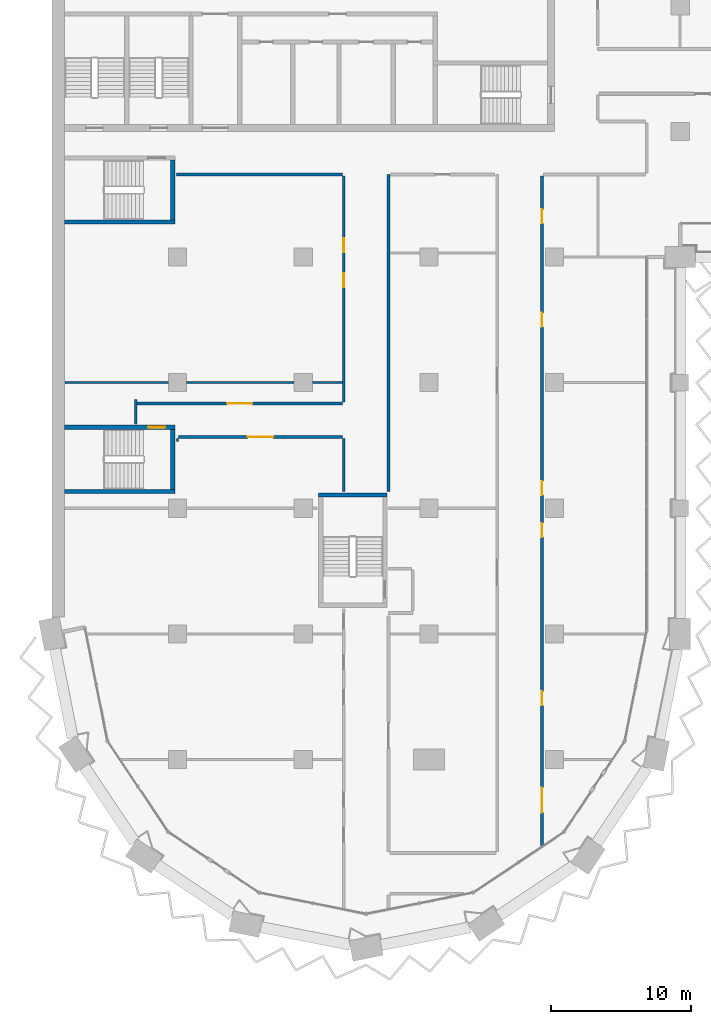
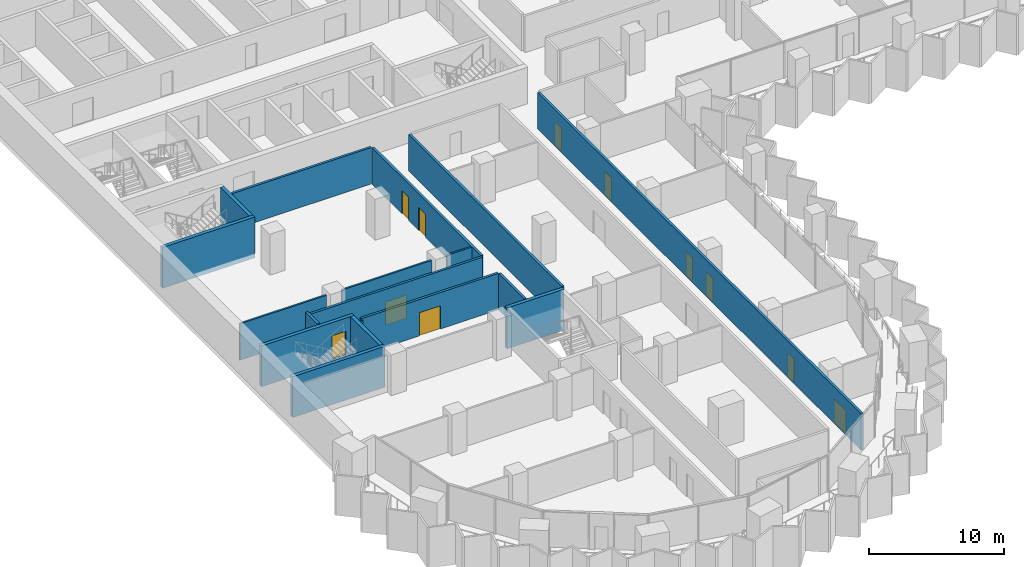
# One storey, part 10 of 23: 18 walls, 11 doors, 11 openings.
"""IFC4 building model written with IfcOpenShell, lengths in metres."""

from ifc_helpers import new_model, si_unit, direction, frame, frame_2d, origin, place, context, subcontext, project, spatial, rectangle, extrude, material, layer, layer_set, type_object, element, fill, save


model = new_model("IFC4")

# Units and contexts
model_context = context("Model", 3, precision=1e-05, world=origin(), true_north=direction((0.0, 1.0)))
body_context = subcontext(model_context, "Body", "Model", "MODEL_VIEW")
ifc_project = project(units=[si_unit("LENGTHUNIT", "METRE"), si_unit("AREAUNIT", "SQUARE_METRE"), si_unit("VOLUMEUNIT", "CUBIC_METRE"), si_unit("PLANEANGLEUNIT", "RADIAN"), si_unit("MASSUNIT", "GRAM", prefix="KILO")], contexts=[model_context])

# Site, building, storey
site_placement = place(None, origin())
site = spatial("IfcSite", under=ifc_project, at=site_placement, CompositionType="ELEMENT")
building_placement = place(site_placement, origin())
building = spatial("IfcBuilding", under=site, at=building_placement, Name="Hunhe Ridgeline Campus", CompositionType="ELEMENT")
storey_placement = place(building_placement, frame((0.0, 0.0, 95.89990234375)))
storey = spatial("IfcBuildingStorey", under=building, at=storey_placement, Name="L23", CompositionType="ELEMENT", Elevation=95.89990234375)

# Wall, opening, door
ifc_material_1 = material(Name="Gypsum board partition")
ifc_layer_1 = layer(ifc_material_1, 0.199951171875)
ifc_layer_set_1 = layer_set([ifc_layer_1], Name="Corridor partition 200 gypsum board on steel studs")
wall_type_1 = type_object("IfcWallType", Name="Corridor partition 200 gypsum board on steel studs", PredefinedType="PARTITIONING", material=ifc_layer_set_1)
wall_1_placement = place(storey_placement, frame((20.800048828125, 41.10009765625, 0.0), z_axis=(0.0, 0.0, 1.0), x_axis=(-1.0, 0.0, 0.0)))
wall_1 = element("IfcWall", 1, at=wall_1_placement, inside=storey, type_object=wall_type_1, Name="F-L23-wall-020", PredefinedType="PARTITIONING", context=body_context, shape_type="SweptSolid", body=[
    extrude(rectangle(XDim=11.72509765625, YDim=0.199951171875, at=frame_2d((5.862548828125, 0.0))), origin(), (0.0, 0.0, 1.0), 3.300048828125),
])
opening_1_placement = place(wall_1_placement, frame((4.96240234375, 0.0, 0.0)))
opening_1 = element("IfcOpeningElement", 2, at=opening_1_placement, cuts=wall_1, Name="Opening RD2-012", PredefinedType="OPENING", context=body_context, shape_type="SweptSolid", body=[
    extrude(rectangle(XDim=1.800048828125, YDim=2.10009765625, at=frame_2d((0.89990234375, 1.050048828125))), frame((0.0, 0.10009765625, 0.0), z_axis=(0.0, -1.0, 0.0), x_axis=(1.0, 0.0, 0.0)), (0.0, 0.0, 1.0), 0.199951171875),
])
ifc_material_2 = material(Name="Timber door leaf", Category="wood")
door_type_1 = type_object("IfcDoorType", Name="Double fire door 1800x2100 timber FD60", OperationType="DOUBLE_DOOR_SINGLE_SWING", PredefinedType="DOOR", material=ifc_material_2)
door_1_placement = place(opening_1_placement, origin())
door_1 = element("IfcDoor", 3, at=door_1_placement, inside=storey, type_object=door_type_1, Name="F-L23-door-012", OperationType="DOUBLE_DOOR_SINGLE_SWING", OverallHeight=2.10009765625, OverallWidth=1.800048828125, PredefinedType="DOOR", context=body_context, shape_type="SweptSolid", body=[
    extrude(rectangle(XDim=1.800048828125, YDim=2.10009765625, at=frame_2d((0.89990234375, 1.050048828125))), frame((0.0, 0.02490234375, 0.0), z_axis=(0.0, -1.0, 0.0), x_axis=(1.0, 0.0, 0.0)), (0.0, 0.0, 1.0), 0.050048828125),
])
fill(opening_1, door_1)

wall_2_placement = place(storey_placement, frame((6.10009765625, 43.5, 0.0), z_axis=(0.0, 0.0, 1.0), x_axis=(1.0, 0.0, 0.0)))
wall_2 = element("IfcWall", 4, at=wall_2_placement, inside=storey, type_object=wall_type_1, Name="F-L23-wall-021", PredefinedType="PARTITIONING", context=body_context, shape_type="SweptSolid", body=[
    extrude(rectangle(XDim=14.699951171875, YDim=0.199951171875, at=frame_2d((7.35009765625, 0.0))), origin(), (0.0, 0.0, 1.0), 3.300048828125),
])
opening_2_placement = place(wall_2_placement, frame((6.449951171875, 0.0, 0.0)))
opening_2 = element("IfcOpeningElement", 5, at=opening_2_placement, cuts=wall_2, Name="Opening RD2-013", PredefinedType="OPENING", context=body_context, shape_type="SweptSolid", body=[
    extrude(rectangle(XDim=1.800048828125, YDim=2.10009765625, at=frame_2d((0.89990234375, 1.050048828125))), frame((0.0, 0.10009765625, 0.0), z_axis=(0.0, -1.0, 0.0), x_axis=(1.0, 0.0, 0.0)), (0.0, 0.0, 1.0), 0.199951171875),
])
door_2_placement = place(opening_2_placement, origin())
door_2 = element("IfcDoor", 6, at=door_2_placement, inside=storey, type_object=door_type_1, Name="F-L23-door-013", OperationType="DOUBLE_DOOR_SINGLE_SWING", OverallHeight=2.10009765625, OverallWidth=1.800048828125, PredefinedType="DOOR", context=body_context, shape_type="SweptSolid", body=[
    extrude(rectangle(XDim=1.800048828125, YDim=2.10009765625, at=frame_2d((0.89990234375, 1.050048828125))), frame((0.0, 0.02490234375, 0.0), z_axis=(0.0, -1.0, 0.0), x_axis=(1.0, 0.0, 0.0)), (0.0, 0.0, 1.0), 0.050048828125),
])
fill(opening_2, door_2)

# Walls
wall_3_placement = place(storey_placement, frame((20.796630859375, 59.89990234375, 0.0), z_axis=(0.0, 0.0, 1.0), x_axis=(-1.0, 0.0, 0.0)))
element("IfcWall", 7, at=wall_3_placement, inside=storey, type_object=wall_type_1, Name="F-L23-wall-029", PredefinedType="PARTITIONING", context=body_context, shape_type="SweptSolid", body=[
    extrude(rectangle(XDim=11.892578125, YDim=0.199951171875, at=frame_2d((5.9462890625, 0.0))), origin(), (0.0, 0.0, 1.0), 3.300048828125),
])
wall_4_placement = place(storey_placement, frame((6.0, 42.053955078125, 0.0), z_axis=(0.0, 0.0, 1.0), x_axis=(0.0, 1.0, 0.0)))
element("IfcWall", 8, at=wall_4_placement, inside=storey, type_object=wall_type_1, Name="F-L23-wall-040", PredefinedType="PARTITIONING", context=body_context, shape_type="SweptSolid", body=[
    extrude(rectangle(XDim=1.74609375, YDim=0.199951171875, at=frame_2d((0.873046875, 0.0))), origin(), (0.0, 0.0, 1.0), 3.300048828125),
])
wall_5_placement = place(storey_placement, frame((20.89990234375, 37.2041015625, 0.0), z_axis=(0.0, 0.0, 1.0), x_axis=(0.0, 1.0, 0.0)))
element("IfcWall", 9, at=wall_5_placement, inside=storey, type_object=wall_type_1, Name="F-L23-wall-043", PredefinedType="PARTITIONING", context=body_context, shape_type="SweptSolid", body=[
    extrude(rectangle(XDim=3.7958984375, YDim=0.199951171875, at=frame_2d((1.89794921875, 0.0))), origin(), (0.0, 0.0, 1.0), 3.300048828125),
])

# Wall, openings, doors
wall_6_placement = place(storey_placement, frame((20.89990234375, 43.6181640625, 0.0), z_axis=(0.0, 0.0, 1.0), x_axis=(0.0, 1.0, 0.0)))
wall_6 = element("IfcWall", 10, at=wall_6_placement, inside=storey, type_object=wall_type_1, Name="F-L23-wall-044", PredefinedType="PARTITIONING", context=body_context, shape_type="SweptSolid", body=[
    extrude(rectangle(XDim=16.181884765625, YDim=0.199951171875, at=frame_2d((8.0908203125, 0.0))), origin(), (0.0, 0.0, 1.0), 3.300048828125),
])
opening_3_placement = place(wall_6_placement, frame((8.22314453125, 0.0, 0.0)))
opening_3 = element("IfcOpeningElement", 11, at=opening_3_placement, cuts=wall_6, Name="Opening RD1-016", PredefinedType="OPENING", context=body_context, shape_type="SweptSolid", body=[
    extrude(rectangle(XDim=1.0, YDim=2.10009765625, at=frame_2d((0.5, 1.050048828125))), frame((0.0, 0.10009765625, 0.0), z_axis=(0.0, -1.0, 0.0), x_axis=(1.0, 0.0, 0.0)), (0.0, 0.0, 1.0), 0.199951171875),
])
opening_4_placement = place(wall_6_placement, frame((10.72314453125, 0.0, 0.0)))
opening_4 = element("IfcOpeningElement", 12, at=opening_4_placement, cuts=wall_6, Name="Opening RD1-017", PredefinedType="OPENING", context=body_context, shape_type="SweptSolid", body=[
    extrude(rectangle(XDim=1.0, YDim=2.10009765625, at=frame_2d((0.5, 1.050048828125))), frame((0.0, 0.10009765625, 0.0), z_axis=(0.0, -1.0, 0.0), x_axis=(1.0, 0.0, 0.0)), (0.0, 0.0, 1.0), 0.199951171875),
])
door_type_2 = type_object("IfcDoorType", Name="Single fire door 1000x2100 timber FD60", OperationType="NOTDEFINED", PredefinedType="DOOR", material=ifc_material_2)
door_3_placement = place(opening_3_placement, frame((1.0, 0.0, 0.0), z_axis=(0.0, 0.0, 1.0), x_axis=(-1.0, 0.0, 0.0)))
door_3 = element("IfcDoor", 13, at=door_3_placement, inside=storey, type_object=door_type_2, Name="F-L23-door-016", OperationType="SINGLE_SWING_RIGHT", OverallHeight=2.10009765625, OverallWidth=1.0, PredefinedType="DOOR", context=body_context, shape_type="SweptSolid", body=[
    extrude(rectangle(XDim=1.0, YDim=2.10009765625, at=frame_2d((0.5, 1.050048828125))), frame((0.0, 0.02490234375, 0.0), z_axis=(0.0, -1.0, 0.0), x_axis=(1.0, 0.0, 0.0)), (0.0, 0.0, 1.0), 0.050048828125),
])
fill(opening_3, door_3)
door_4_placement = place(opening_4_placement, frame((1.0, 0.0, 0.0), z_axis=(0.0, 0.0, 1.0), x_axis=(-1.0, 0.0, 0.0)))
door_4 = element("IfcDoor", 14, at=door_4_placement, inside=storey, type_object=door_type_2, Name="F-L23-door-017", OperationType="SINGLE_SWING_LEFT", OverallHeight=2.10009765625, OverallWidth=1.0, PredefinedType="DOOR", context=body_context, shape_type="SweptSolid", body=[
    extrude(rectangle(XDim=1.0, YDim=2.10009765625, at=frame_2d((0.5, 1.050048828125))), frame((0.0, 0.02490234375, 0.0), z_axis=(0.0, -1.0, 0.0), x_axis=(1.0, 0.0, 0.0)), (0.0, 0.0, 1.0), 0.050048828125),
])
fill(opening_4, door_4)

# Wall
wall_7_placement = place(storey_placement, frame((24.10009765625, 59.89990234375, 0.0), z_axis=(0.0, 0.0, 1.0), x_axis=(0.0, -1.0, 0.0)))
element("IfcWall", 15, at=wall_7_placement, inside=storey, type_object=wall_type_1, Name="F-L23-wall-047", PredefinedType="PARTITIONING", context=body_context, shape_type="SweptSolid", body=[
    extrude(rectangle(XDim=22.69580078125, YDim=0.199951171875, at=frame_2d((11.347900390625, 0.0))), origin(), (0.0, 0.0, 1.0), 3.300048828125),
])

# Wall, openings, doors
wall_8_placement = place(storey_placement, frame((35.10009765625, 59.800048828125, 0.0), z_axis=(0.0, 0.0, 1.0), x_axis=(0.0, -1.0, 0.0)))
wall_8 = element("IfcWall", 16, at=wall_8_placement, inside=storey, type_object=wall_type_1, Name="F-L23-wall-050", PredefinedType="PARTITIONING", context=body_context, shape_type="SweptSolid", body=[
    extrude(rectangle(XDim=47.968994140625, YDim=0.199951171875, at=frame_2d((23.984375, 0.0))), origin(), (0.0, 0.0, 1.0), 3.300048828125),
])
opening_5_placement = place(wall_8_placement, frame((43.803955078125, 0.0, 0.0)))
opening_5 = element("IfcOpeningElement", 17, at=opening_5_placement, cuts=wall_8, Name="Opening RD2-003", PredefinedType="OPENING", context=body_context, shape_type="SweptSolid", body=[
    extrude(rectangle(XDim=1.800048828125, YDim=2.10009765625, at=frame_2d((0.89990234375, 1.050048828125))), frame((0.0, 0.10009765625, 0.0), z_axis=(0.0, -1.0, 0.0), x_axis=(1.0, 0.0, 0.0)), (0.0, 0.0, 1.0), 0.199951171875),
])
opening_6_placement = place(wall_8_placement, frame((36.9208984375, 0.0, 0.0)))
opening_6 = element("IfcOpeningElement", 18, at=opening_6_placement, cuts=wall_8, Name="Opening RD1-005", PredefinedType="OPENING", context=body_context, shape_type="SweptSolid", body=[
    extrude(rectangle(XDim=1.0, YDim=2.10009765625, at=frame_2d((0.5, 1.050048828125))), frame((0.0, 0.10009765625, 0.0), z_axis=(0.0, -1.0, 0.0), x_axis=(1.0, 0.0, 0.0)), (0.0, 0.0, 1.0), 0.199951171875),
])
opening_7_placement = place(wall_8_placement, frame((24.85888671875, 0.0, 0.0)))
opening_7 = element("IfcOpeningElement", 19, at=opening_7_placement, cuts=wall_8, Name="Opening RD1-010", PredefinedType="OPENING", context=body_context, shape_type="SweptSolid", body=[
    extrude(rectangle(XDim=1.0, YDim=2.10009765625, at=frame_2d((0.5, 1.050048828125))), frame((0.0, 0.10009765625, 0.0), z_axis=(0.0, -1.0, 0.0), x_axis=(1.0, 0.0, 0.0)), (0.0, 0.0, 1.0), 0.199951171875),
])
opening_8_placement = place(wall_8_placement, frame((21.85888671875, 0.0, 0.0)))
opening_8 = element("IfcOpeningElement", 20, at=opening_8_placement, cuts=wall_8, Name="Opening RD1-011", PredefinedType="OPENING", context=body_context, shape_type="SweptSolid", body=[
    extrude(rectangle(XDim=1.0, YDim=2.10009765625, at=frame_2d((0.5, 1.050048828125))), frame((0.0, 0.10009765625, 0.0), z_axis=(0.0, -1.0, 0.0), x_axis=(1.0, 0.0, 0.0)), (0.0, 0.0, 1.0), 0.199951171875),
])
opening_9_placement = place(wall_8_placement, frame((9.797119140625, 0.0, 0.0)))
opening_9 = element("IfcOpeningElement", 21, at=opening_9_placement, cuts=wall_8, Name="Opening RD1-015", PredefinedType="OPENING", context=body_context, shape_type="SweptSolid", body=[
    extrude(rectangle(XDim=1.0, YDim=2.10009765625, at=frame_2d((0.5, 1.050048828125))), frame((0.0, 0.10009765625, 0.0), z_axis=(0.0, -1.0, 0.0), x_axis=(1.0, 0.0, 0.0)), (0.0, 0.0, 1.0), 0.199951171875),
])
opening_10_placement = place(wall_8_placement, frame((2.38818359375, 0.0, 0.0)))
opening_10 = element("IfcOpeningElement", 22, at=opening_10_placement, cuts=wall_8, Name="Opening RD1-018", PredefinedType="OPENING", context=body_context, shape_type="SweptSolid", body=[
    extrude(rectangle(XDim=1.0, YDim=2.10009765625, at=frame_2d((0.5, 1.050048828125))), frame((0.0, 0.10009765625, 0.0), z_axis=(0.0, -1.0, 0.0), x_axis=(1.0, 0.0, 0.0)), (0.0, 0.0, 1.0), 0.199951171875),
])
door_5_placement = place(opening_5_placement, origin())
door_5 = element("IfcDoor", 23, at=door_5_placement, inside=storey, type_object=door_type_1, Name="F-L23-door-003", OperationType="DOUBLE_DOOR_SINGLE_SWING", OverallHeight=2.10009765625, OverallWidth=1.800048828125, PredefinedType="DOOR", context=body_context, shape_type="SweptSolid", body=[
    extrude(rectangle(XDim=1.800048828125, YDim=2.10009765625, at=frame_2d((0.89990234375, 1.050048828125))), frame((0.0, 0.02490234375, 0.0), z_axis=(0.0, -1.0, 0.0), x_axis=(1.0, 0.0, 0.0)), (0.0, 0.0, 1.0), 0.050048828125),
])
fill(opening_5, door_5)
door_6_placement = place(opening_6_placement, origin())
door_6 = element("IfcDoor", 24, at=door_6_placement, inside=storey, type_object=door_type_2, Name="F-L23-door-005", OperationType="SINGLE_SWING_LEFT", OverallHeight=2.10009765625, OverallWidth=1.0, PredefinedType="DOOR", context=body_context, shape_type="SweptSolid", body=[
    extrude(rectangle(XDim=1.0, YDim=2.10009765625, at=frame_2d((0.5, 1.050048828125))), frame((0.0, 0.02490234375, 0.0), z_axis=(0.0, -1.0, 0.0), x_axis=(1.0, 0.0, 0.0)), (0.0, 0.0, 1.0), 0.050048828125),
])
fill(opening_6, door_6)
door_7_placement = place(opening_7_placement, frame((1.0, 0.0, 0.0), z_axis=(0.0, 0.0, 1.0), x_axis=(-1.0, 0.0, 0.0)))
door_7 = element("IfcDoor", 25, at=door_7_placement, inside=storey, type_object=door_type_2, Name="F-L23-door-010", OperationType="SINGLE_SWING_LEFT", OverallHeight=2.10009765625, OverallWidth=1.0, PredefinedType="DOOR", context=body_context, shape_type="SweptSolid", body=[
    extrude(rectangle(XDim=1.0, YDim=2.10009765625, at=frame_2d((0.5, 1.050048828125))), frame((0.0, 0.02490234375, 0.0), z_axis=(0.0, -1.0, 0.0), x_axis=(1.0, 0.0, 0.0)), (0.0, 0.0, 1.0), 0.050048828125),
])
fill(opening_7, door_7)
door_8_placement = place(opening_8_placement, frame((1.0, 0.0, 0.0), z_axis=(0.0, 0.0, 1.0), x_axis=(-1.0, 0.0, 0.0)))
door_8 = element("IfcDoor", 26, at=door_8_placement, inside=storey, type_object=door_type_2, Name="F-L23-door-011", OperationType="SINGLE_SWING_RIGHT", OverallHeight=2.10009765625, OverallWidth=1.0, PredefinedType="DOOR", context=body_context, shape_type="SweptSolid", body=[
    extrude(rectangle(XDim=1.0, YDim=2.10009765625, at=frame_2d((0.5, 1.050048828125))), frame((0.0, 0.02490234375, 0.0), z_axis=(0.0, -1.0, 0.0), x_axis=(1.0, 0.0, 0.0)), (0.0, 0.0, 1.0), 0.050048828125),
])
fill(opening_8, door_8)
door_9_placement = place(opening_9_placement, origin())
door_9 = element("IfcDoor", 27, at=door_9_placement, inside=storey, type_object=door_type_2, Name="F-L23-door-015", OperationType="SINGLE_SWING_LEFT", OverallHeight=2.10009765625, OverallWidth=1.0, PredefinedType="DOOR", context=body_context, shape_type="SweptSolid", body=[
    extrude(rectangle(XDim=1.0, YDim=2.10009765625, at=frame_2d((0.5, 1.050048828125))), frame((0.0, 0.02490234375, 0.0), z_axis=(0.0, -1.0, 0.0), x_axis=(1.0, 0.0, 0.0)), (0.0, 0.0, 1.0), 0.050048828125),
])
fill(opening_9, door_9)
door_10_placement = place(opening_10_placement, origin())
door_10 = element("IfcDoor", 28, at=door_10_placement, inside=storey, type_object=door_type_2, Name="F-L23-door-018", OperationType="SINGLE_SWING_LEFT", OverallHeight=2.10009765625, OverallWidth=1.0, PredefinedType="DOOR", context=body_context, shape_type="SweptSolid", body=[
    extrude(rectangle(XDim=1.0, YDim=2.10009765625, at=frame_2d((0.5, 1.050048828125))), frame((0.0, 0.02490234375, 0.0), z_axis=(0.0, -1.0, 0.0), x_axis=(1.0, 0.0, 0.0)), (0.0, 0.0, 1.0), 0.050048828125),
])
fill(opening_10, door_10)

# Walls
ifc_layer_2 = layer(ifc_material_1, 0.14990234375)
ifc_layer_set_2 = layer_set([ifc_layer_2], Name="Room partition 150 gypsum board on steel studs")
wall_type_2 = type_object("IfcWallType", Name="Room partition 150 gypsum board on steel studs", PredefinedType="PARTITIONING", material=ifc_layer_set_2)
wall_9_placement = place(storey_placement, frame((0.919921875, 45.0, 0.0), z_axis=(0.0, 0.0, 1.0), x_axis=(1.0, 0.0, 0.0)))
element("IfcWall", 29, at=wall_9_placement, inside=storey, type_object=wall_type_2, Name="F-L23-wall-022", PredefinedType="PARTITIONING", context=body_context, shape_type="SweptSolid", body=[
    extrude(rectangle(XDim=7.43017578125, YDim=0.14990234375, at=frame_2d((3.715087890625, 0.0))), origin(), (0.0, 0.0, 1.0), 3.300048828125),
])
wall_10_placement = place(storey_placement, frame((9.64990234375, 45.0, 0.0), z_axis=(0.0, 0.0, 1.0), x_axis=(1.0, 0.0, 0.0)))
element("IfcWall", 30, at=wall_10_placement, inside=storey, type_object=wall_type_2, Name="F-L23-wall-023", PredefinedType="PARTITIONING", context=body_context, shape_type="SweptSolid", body=[
    extrude(rectangle(XDim=7.7001953125, YDim=0.14990234375, at=frame_2d((3.85009765625, 0.0))), origin(), (0.0, 0.0, 1.0), 3.300048828125),
])
wall_11_placement = place(storey_placement, frame((18.64990234375, 45.0, 0.0), z_axis=(0.0, 0.0, 1.0), x_axis=(1.0, 0.0, 0.0)))
element("IfcWall", 31, at=wall_11_placement, inside=storey, type_object=wall_type_2, Name="F-L23-wall-024", PredefinedType="PARTITIONING", context=body_context, shape_type="SweptSolid", body=[
    extrude(rectangle(XDim=2.150146484375, YDim=0.14990234375, at=frame_2d((1.0751953125, 0.0))), origin(), (0.0, 0.0, 1.0), 3.300048828125),
])
wall_12_placement = place(storey_placement, frame((9.0, 41.0, 0.0), z_axis=(0.0, 0.0, 1.0), x_axis=(0.0, -1.0, 0.0)))
element("IfcWall", 32, at=wall_12_placement, inside=storey, type_object=wall_type_2, Name="F-L23-wall-041", PredefinedType="PARTITIONING", context=body_context, shape_type="SweptSolid", body=[
    extrude(rectangle(XDim=0.199951171875, YDim=0.14990234375, at=frame_2d((0.10009765625, 0.0))), origin(), (0.0, 0.0, 1.0), 3.300048828125),
])
ifc_material_3 = material(Name="Concrete C80", Category="concrete")
ifc_layer_3 = layer(ifc_material_3, 0.300048828125)
ifc_layer_set_3 = layer_set([ifc_layer_3], Name="Stair wall 300 reinforced concrete C80")
wall_type_3 = type_object("IfcWallType", Name="Stair wall 300 reinforced concrete C80", PredefinedType="SOLIDWALL", material=ifc_layer_set_3)
wall_13_placement = place(storey_placement, frame((19.10009765625, 36.949951171875, -0.39990234375), z_axis=(0.0, 0.0, 1.0), x_axis=(1.0, 0.0, 0.0)))
element("IfcWall", 33, at=wall_13_placement, inside=storey, type_object=wall_type_3, Name="L23 core wall 2", PredefinedType="SOLIDWALL", context=body_context, shape_type="SweptSolid", body=[
    extrude(rectangle(XDim=4.89990234375, YDim=0.300048828125, at=frame_2d((2.449951171875, 0.0))), origin(), (0.0, 0.0, 1.0), 3.699951171875),
])
wall_14_placement = place(storey_placement, frame((0.89990234375, 37.199951171875, -0.39990234375), z_axis=(0.0, 0.0, 1.0), x_axis=(1.0, 0.0, 0.0)))
element("IfcWall", 34, at=wall_14_placement, inside=storey, type_object=wall_type_3, Name="L23 core wall 3", PredefinedType="SOLIDWALL", context=body_context, shape_type="SweptSolid", body=[
    extrude(rectangle(XDim=7.900146484375, YDim=0.300048828125, at=frame_2d((3.9501953125, 0.0))), origin(), (0.0, 0.0, 1.0), 3.699951171875),
])

# Wall, opening, door
wall_15_placement = place(storey_placement, frame((0.89990234375, 41.800048828125, -0.39990234375), z_axis=(0.0, 0.0, 1.0), x_axis=(1.0, 0.0, 0.0)))
wall_15 = element("IfcWall", 35, at=wall_15_placement, inside=storey, type_object=wall_type_3, Name="L23 core wall 4", PredefinedType="SOLIDWALL", context=body_context, shape_type="SweptSolid", body=[
    extrude(rectangle(XDim=7.900146484375, YDim=0.300048828125, at=frame_2d((3.9501953125, 0.0))), origin(), (0.0, 0.0, 1.0), 3.699951171875),
])
opening_11_placement = place(wall_15_placement, frame((6.0, 0.0, 0.39990234375)))
opening_11 = element("IfcOpeningElement", 36, at=opening_11_placement, cuts=wall_15, Name="Opening CD21", PredefinedType="OPENING", context=body_context, shape_type="SweptSolid", body=[
    extrude(rectangle(XDim=1.199951171875, YDim=2.10009765625, at=frame_2d((0.60009765625, 1.050048828125))), frame((0.0, 0.14990234375, 0.0), z_axis=(0.0, -1.0, 0.0), x_axis=(1.0, 0.0, 0.0)), (0.0, 0.0, 1.0), 0.300048828125),
])
ifc_material_4 = material(Name="Hollow metal fire door leaf")
door_type_3 = type_object("IfcDoorType", Name="Stair door 1200x2100 FD60", OperationType="SINGLE_SWING_LEFT", PredefinedType="DOOR", material=ifc_material_4)
door_11_placement = place(opening_11_placement, origin())
door_11 = element("IfcDoor", 37, at=door_11_placement, inside=storey, type_object=door_type_3, Name="L23 door W1", OperationType="SINGLE_SWING_RIGHT", OverallHeight=2.10009765625, OverallWidth=1.199951171875, PredefinedType="DOOR", context=body_context, shape_type="SweptSolid", body=[
    extrude(rectangle(XDim=1.199951171875, YDim=2.10009765625, at=frame_2d((0.60009765625, 1.050048828125))), frame((0.0, 0.02490234375, 0.0), z_axis=(0.0, -1.0, 0.0), x_axis=(1.0, 0.0, 0.0)), (0.0, 0.0, 1.0), 0.050048828125),
])
fill(opening_11, door_11)

# Walls
wall_16_placement = place(storey_placement, frame((0.89990234375, 56.5, -0.39990234375), z_axis=(0.0, 0.0, 1.0), x_axis=(1.0, 0.0, 0.0)))
element("IfcWall", 38, at=wall_16_placement, inside=storey, type_object=wall_type_3, Name="L23 core wall 5", PredefinedType="SOLIDWALL", context=body_context, shape_type="SweptSolid", body=[
    extrude(rectangle(XDim=7.900146484375, YDim=0.300048828125, at=frame_2d((3.9501953125, 0.0))), origin(), (0.0, 0.0, 1.0), 3.699951171875),
])
wall_17_placement = place(storey_placement, frame((8.64990234375, 37.35009765625, -0.39990234375), z_axis=(0.0, 0.0, 1.0), x_axis=(0.0, 1.0, 0.0)))
element("IfcWall", 39, at=wall_17_placement, inside=storey, type_object=wall_type_3, Name="L23 core wall 36", PredefinedType="SOLIDWALL", context=body_context, shape_type="SweptSolid", body=[
    extrude(rectangle(XDim=4.2998046875, YDim=0.300048828125, at=frame_2d((2.14990234375, 0.0))), origin(), (0.0, 0.0, 1.0), 3.699951171875),
])
wall_18_placement = place(storey_placement, frame((8.64990234375, 56.64990234375, -0.39990234375), z_axis=(0.0, 0.0, 1.0), x_axis=(0.0, 1.0, 0.0)))
element("IfcWall", 40, at=wall_18_placement, inside=storey, type_object=wall_type_3, Name="L23 core wall 37", PredefinedType="SOLIDWALL", context=body_context, shape_type="SweptSolid", body=[
    extrude(rectangle(XDim=4.300048828125, YDim=0.300048828125, at=frame_2d((2.14990234375, 0.0))), origin(), (0.0, 0.0, 1.0), 3.699951171875),
])

save(model, "model.ifc")
